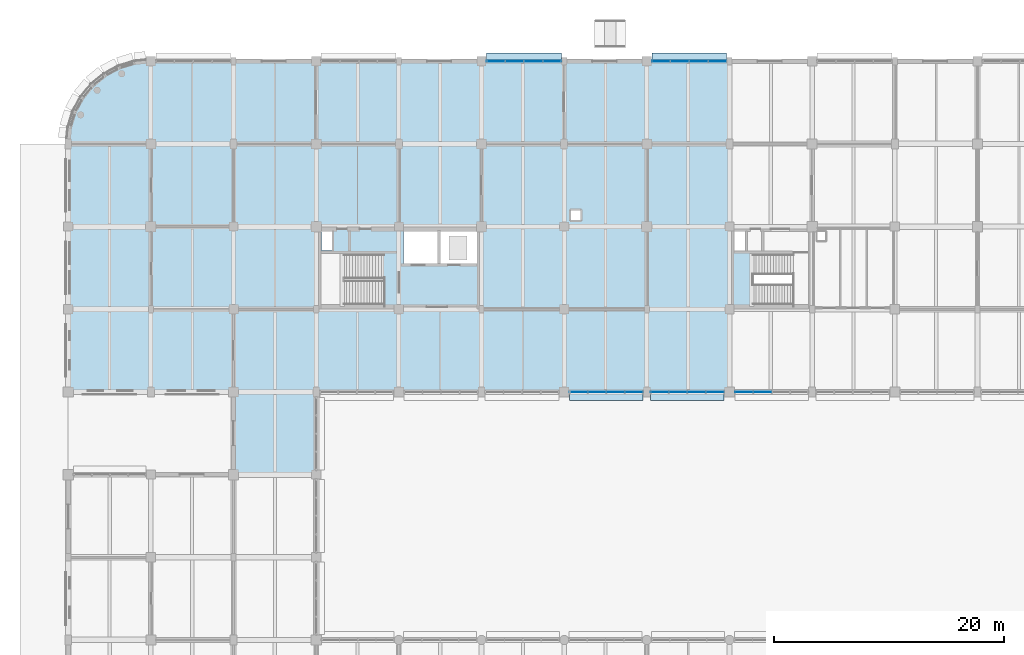
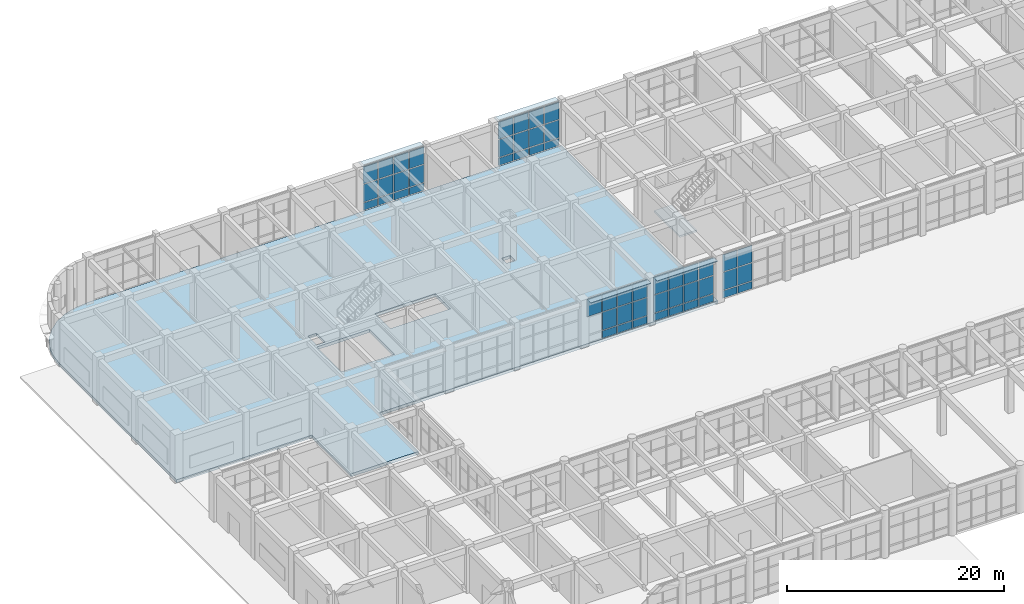
# One storey, part 125 of 160: 56 plates, 2 slabs, 6 elements without a shape of their own.
"""IFC4 building model written with IfcOpenShell, lengths in metres."""

from ifc_helpers import new_model, si_unit, direction, frame, origin, origin_2d, place, context, subcontext, project, spatial, polyline, rectangle, outline, extrude, material, layer, layer_set, type_object, element, aggregate, save


model = new_model("IFC4")

# Units and contexts
model_context = context("Model", 3, precision=1e-05, world=origin(), true_north=direction((0.0, 1.0)))
body_context = subcontext(model_context, "Body", "Model", "MODEL_VIEW")
ifc_project = project(units=[si_unit("LENGTHUNIT", "METRE"), si_unit("AREAUNIT", "SQUARE_METRE"), si_unit("VOLUMEUNIT", "CUBIC_METRE"), si_unit("PLANEANGLEUNIT", "RADIAN"), si_unit("MASSUNIT", "GRAM", prefix="KILO")], contexts=[model_context])

# Site, building, storey
site_placement = place(None, origin())
site = spatial("IfcSite", under=ifc_project, at=site_placement, CompositionType="ELEMENT")
building_placement = place(site_placement, origin())
building = spatial("IfcBuilding", under=site, at=building_placement, Name="Thalmaran Polytechnic", CompositionType="ELEMENT")
storey_placement = place(building_placement, origin())
storey = spatial("IfcBuildingStorey", under=building, at=storey_placement, Name="L00", CompositionType="ELEMENT", Elevation=0.0)

# Plates
ifc_material_1 = material(Name="Anodised aluminium sun-hood eyebrow", Category="aluminium")
ifc_layer_1 = layer(ifc_material_1, 0.0849609375, Name="Anodised aluminium sun-hood eyebrow")
ifc_layer_set_1 = layer_set([ifc_layer_1], Name="Anodised aluminium sun-hood eyebrow")
plate_type_1 = type_object("IfcPlateType", Name="PT-EB01", PredefinedType="SHEET", material=ifc_layer_set_1)
for number, where, z_axis, x_axis, name in (
    (1, (39.6923828125, 122.760009765625, 4.987548828125), (0.0, 0.0, 1.0), (1.0, 0.0, 0.0), "Streamline Sun-Hood Eyebrow L00-CW004"),
    (2, (54.092529296875, 122.760009765625, 4.987548828125), (0.0, 0.0, 1.0), (1.0, 0.0, 0.0), "Streamline Sun-Hood Eyebrow L00-CW005"),
):
    element("IfcPlate", number, at=place(storey_placement, frame(where, z_axis=z_axis, x_axis=x_axis)), inside=storey, type_object=plate_type_1, Name=name, PredefinedType="SHEET", context=body_context, shape_type="SweptSolid", body=[
        extrude(rectangle(XDim=6.52490234375, YDim=0.760009765625, at=origin_2d()), origin(), (0.0, 0.0, 1.0), 0.0849609375),
    ])
for number, where, z_axis, x_axis, name in (
    (3, (53.929931640625, 93.239990234375, 4.987548828125), (0.0, 0.0, 1.0), (-1.0, 0.0, 0.0), "Streamline Sun-Hood Eyebrow L00-CW018"),
    (4, (46.8701171875, 93.239990234375, 4.987548828125), (0.0, 0.0, 1.0), (-1.0, 0.0, 0.0), "Streamline Sun-Hood Eyebrow L00-CW019"),
):
    element("IfcPlate", number, at=place(storey_placement, frame(where, z_axis=z_axis, x_axis=x_axis)), inside=storey, type_object=plate_type_1, Name=name, PredefinedType="SHEET", context=body_context, shape_type="SweptSolid", body=[
        extrude(rectangle(XDim=6.419921875, YDim=0.760009765625, at=origin_2d()), origin(), (0.0, 0.0, 1.0), 0.0849609375),
    ])

# Curtain wall, plates
ifc_material_2 = material(Name="Aluminium 6063-T6", Category="aluminium")
curtain_wall_type = type_object("IfcCurtainWallType", Name="CW-UC01", PredefinedType="USERDEFINED", material=ifc_material_2)
curtain_wall_1_placement = place(storey_placement, origin())
curtain_wall_1 = element("IfcCurtainWall", 5, at=curtain_wall_1_placement, inside=storey, type_object=curtain_wall_type, Name="Curtain Wall CW-L00-005", ObjectType="UNITISED CURTAIN WALL", PredefinedType="USERDEFINED")
ifc_material_3 = material(Name="Solar-control double low-E glass", Category="glass")
ifc_layer_2 = layer(ifc_material_3, 0.035888671875, Name="Solar-control double low-E glass")
ifc_layer_set_2 = layer_set([ifc_layer_2], Name="Solar-control double low-E glass")
plate_type_2 = type_object("IfcPlateType", Name="PT-GL01", PredefinedType="CURTAIN_PANEL", material=ifc_layer_set_2)
plate_1_placement = place(storey_placement, frame((51.630615234375, 122.39990234375, 1.0), z_axis=(0.0, 0.0, 1.0), x_axis=(1.0, 0.0, 0.0)))
plate_1 = element("IfcPlate", 6, at=plate_1_placement, type_object=plate_type_2, Name="CW-L00-005 Vision Panel 1-2", PredefinedType="CURTAIN_PANEL", context=body_context, shape_type="SweptSolid", body=[
    extrude(rectangle(XDim=1.541259765625, YDim=0.035888671875, at=origin_2d()), origin(), (0.0, 0.0, 1.0), 1.985107421875),
])
plate_2_placement = place(storey_placement, frame((51.630615234375, 122.39990234375, 3.06494140625), z_axis=(0.0, 0.0, 1.0), x_axis=(1.0, 0.0, 0.0)))
plate_2 = element("IfcPlate", 7, at=plate_2_placement, type_object=plate_type_2, Name="CW-L00-005 Vision Panel 1-3", PredefinedType="CURTAIN_PANEL", context=body_context, shape_type="SweptSolid", body=[
    extrude(rectangle(XDim=1.541259765625, YDim=0.035888671875, at=origin_2d()), origin(), (0.0, 0.0, 1.0), 1.925048828125),
])
plate_3_placement = place(storey_placement, frame((53.27197265625, 122.39990234375, 1.0), z_axis=(0.0, 0.0, 1.0), x_axis=(1.0, 0.0, 0.0)))
plate_3 = element("IfcPlate", 8, at=plate_3_placement, type_object=plate_type_2, Name="CW-L00-005 Vision Panel 2-2", PredefinedType="CURTAIN_PANEL", context=body_context, shape_type="SweptSolid", body=[
    extrude(rectangle(XDim=1.541259765625, YDim=0.035888671875, at=origin_2d()), origin(), (0.0, 0.0, 1.0), 1.985107421875),
])
plate_4_placement = place(storey_placement, frame((53.27197265625, 122.39990234375, 3.06494140625), z_axis=(0.0, 0.0, 1.0), x_axis=(1.0, 0.0, 0.0)))
plate_4 = element("IfcPlate", 9, at=plate_4_placement, type_object=plate_type_2, Name="CW-L00-005 Vision Panel 2-3", PredefinedType="CURTAIN_PANEL", context=body_context, shape_type="SweptSolid", body=[
    extrude(rectangle(XDim=1.541259765625, YDim=0.035888671875, at=origin_2d()), origin(), (0.0, 0.0, 1.0), 1.925048828125),
])
plate_5_placement = place(storey_placement, frame((54.9130859375, 122.39990234375, 1.0), z_axis=(0.0, 0.0, 1.0), x_axis=(1.0, 0.0, 0.0)))
plate_5 = element("IfcPlate", 10, at=plate_5_placement, type_object=plate_type_2, Name="CW-L00-005 Vision Panel 3-2", PredefinedType="CURTAIN_PANEL", context=body_context, shape_type="SweptSolid", body=[
    extrude(rectangle(XDim=1.541259765625, YDim=0.035888671875, at=origin_2d()), origin(), (0.0, 0.0, 1.0), 1.985107421875),
])
plate_6_placement = place(storey_placement, frame((54.9130859375, 122.39990234375, 3.06494140625), z_axis=(0.0, 0.0, 1.0), x_axis=(1.0, 0.0, 0.0)))
plate_6 = element("IfcPlate", 11, at=plate_6_placement, type_object=plate_type_2, Name="CW-L00-005 Vision Panel 3-3", PredefinedType="CURTAIN_PANEL", context=body_context, shape_type="SweptSolid", body=[
    extrude(rectangle(XDim=1.541259765625, YDim=0.035888671875, at=origin_2d()), origin(), (0.0, 0.0, 1.0), 1.925048828125),
])
plate_7_placement = place(storey_placement, frame((56.554443359375, 122.39990234375, 1.0), z_axis=(0.0, 0.0, 1.0), x_axis=(1.0, 0.0, 0.0)))
plate_7 = element("IfcPlate", 12, at=plate_7_placement, type_object=plate_type_2, Name="CW-L00-005 Vision Panel 4-2", PredefinedType="CURTAIN_PANEL", context=body_context, shape_type="SweptSolid", body=[
    extrude(rectangle(XDim=1.541259765625, YDim=0.035888671875, at=origin_2d()), origin(), (0.0, 0.0, 1.0), 1.985107421875),
])
plate_8_placement = place(storey_placement, frame((56.554443359375, 122.39990234375, 3.06494140625), z_axis=(0.0, 0.0, 1.0), x_axis=(1.0, 0.0, 0.0)))
plate_8 = element("IfcPlate", 13, at=plate_8_placement, type_object=plate_type_2, Name="CW-L00-005 Vision Panel 4-3", PredefinedType="CURTAIN_PANEL", context=body_context, shape_type="SweptSolid", body=[
    extrude(rectangle(XDim=1.541259765625, YDim=0.035888671875, at=origin_2d()), origin(), (0.0, 0.0, 1.0), 1.925048828125),
])

curtain_wall_2_placement = place(storey_placement, origin())
curtain_wall_2 = element("IfcCurtainWall", 14, at=curtain_wall_2_placement, inside=storey, type_object=curtain_wall_type, Name="Curtain Wall CW-L00-017", ObjectType="UNITISED CURTAIN WALL", PredefinedType="USERDEFINED")
ifc_layer_3 = layer(ifc_material_3, 0.035888671875, Name="Solar-control double low-E glass")
ifc_layer_set_3 = layer_set([ifc_layer_3], Name="Solar-control double low-E glass")
plate_type_3 = type_object("IfcPlateType", Name="PT-GL03", PredefinedType="CURTAIN_PANEL", material=ifc_layer_set_3)
plate_9_placement = place(storey_placement, frame((60.46240234375, 93.60009765625, 1.0), z_axis=(0.0, 0.0, 1.0), x_axis=(-1.0, 0.0, 0.0)))
plate_9 = element("IfcPlate", 15, at=plate_9_placement, type_object=plate_type_3, Name="CW-L00-017 Vision Panel 3-2", PredefinedType="CURTAIN_PANEL", context=body_context, shape_type="SweptSolid", body=[
    extrude(rectangle(XDim=1.514892578125, YDim=0.035888671875, at=origin_2d()), origin(), (0.0, 0.0, 1.0), 1.985107421875),
])
plate_10_placement = place(storey_placement, frame((60.46240234375, 93.60009765625, 3.06494140625), z_axis=(0.0, 0.0, 1.0), x_axis=(-1.0, 0.0, 0.0)))
plate_10 = element("IfcPlate", 16, at=plate_10_placement, type_object=plate_type_3, Name="CW-L00-017 Vision Panel 3-3", PredefinedType="CURTAIN_PANEL", context=body_context, shape_type="SweptSolid", body=[
    extrude(rectangle(XDim=1.514892578125, YDim=0.035888671875, at=origin_2d()), origin(), (0.0, 0.0, 1.0), 1.925048828125),
])
plate_11_placement = place(storey_placement, frame((58.847412109375, 93.60009765625, 1.0), z_axis=(0.0, 0.0, 1.0), x_axis=(-1.0, 0.0, 0.0)))
plate_11 = element("IfcPlate", 17, at=plate_11_placement, type_object=plate_type_3, Name="CW-L00-017 Vision Panel 4-2", PredefinedType="CURTAIN_PANEL", context=body_context, shape_type="SweptSolid", body=[
    extrude(rectangle(XDim=1.514892578125, YDim=0.035888671875, at=origin_2d()), origin(), (0.0, 0.0, 1.0), 1.985107421875),
])
plate_12_placement = place(storey_placement, frame((58.847412109375, 93.60009765625, 3.06494140625), z_axis=(0.0, 0.0, 1.0), x_axis=(-1.0, 0.0, 0.0)))
plate_12 = element("IfcPlate", 18, at=plate_12_placement, type_object=plate_type_3, Name="CW-L00-017 Vision Panel 4-3", PredefinedType="CURTAIN_PANEL", context=body_context, shape_type="SweptSolid", body=[
    extrude(rectangle(XDim=1.514892578125, YDim=0.035888671875, at=origin_2d()), origin(), (0.0, 0.0, 1.0), 1.925048828125),
])

curtain_wall_3_placement = place(storey_placement, origin())
curtain_wall_3 = element("IfcCurtainWall", 19, at=curtain_wall_3_placement, inside=storey, type_object=curtain_wall_type, Name="Curtain Wall CW-L00-018", ObjectType="UNITISED CURTAIN WALL", PredefinedType="USERDEFINED")
ifc_layer_4 = layer(ifc_material_3, 0.035888671875, Name="Solar-control double low-E glass")
ifc_layer_set_4 = layer_set([ifc_layer_4], Name="Solar-control double low-E glass")
plate_type_4 = type_object("IfcPlateType", Name="PT-GL04", PredefinedType="CURTAIN_PANEL", material=ifc_layer_set_4)
plate_13_placement = place(storey_placement, frame((56.3525390625, 93.60009765625, 1.0), z_axis=(0.0, 0.0, 1.0), x_axis=(-1.0, 0.0, 0.0)))
plate_13 = element("IfcPlate", 20, at=plate_13_placement, type_object=plate_type_4, Name="CW-L00-018 Vision Panel 1-2", PredefinedType="CURTAIN_PANEL", context=body_context, shape_type="SweptSolid", body=[
    extrude(rectangle(XDim=1.514892578125, YDim=0.035888671875, at=origin_2d()), origin(), (0.0, 0.0, 1.0), 1.985107421875),
])
plate_14_placement = place(storey_placement, frame((56.3525390625, 93.60009765625, 3.06494140625), z_axis=(0.0, 0.0, 1.0), x_axis=(-1.0, 0.0, 0.0)))
plate_14 = element("IfcPlate", 21, at=plate_14_placement, type_object=plate_type_4, Name="CW-L00-018 Vision Panel 1-3", PredefinedType="CURTAIN_PANEL", context=body_context, shape_type="SweptSolid", body=[
    extrude(rectangle(XDim=1.514892578125, YDim=0.035888671875, at=origin_2d()), origin(), (0.0, 0.0, 1.0), 1.925048828125),
])
plate_15_placement = place(storey_placement, frame((54.737548828125, 93.60009765625, 1.0), z_axis=(0.0, 0.0, 1.0), x_axis=(-1.0, 0.0, 0.0)))
plate_15 = element("IfcPlate", 22, at=plate_15_placement, type_object=plate_type_4, Name="CW-L00-018 Vision Panel 2-2", PredefinedType="CURTAIN_PANEL", context=body_context, shape_type="SweptSolid", body=[
    extrude(rectangle(XDim=1.514892578125, YDim=0.035888671875, at=origin_2d()), origin(), (0.0, 0.0, 1.0), 1.985107421875),
])
plate_16_placement = place(storey_placement, frame((54.737548828125, 93.60009765625, 3.06494140625), z_axis=(0.0, 0.0, 1.0), x_axis=(-1.0, 0.0, 0.0)))
plate_16 = element("IfcPlate", 23, at=plate_16_placement, type_object=plate_type_4, Name="CW-L00-018 Vision Panel 2-3", PredefinedType="CURTAIN_PANEL", context=body_context, shape_type="SweptSolid", body=[
    extrude(rectangle(XDim=1.514892578125, YDim=0.035888671875, at=origin_2d()), origin(), (0.0, 0.0, 1.0), 1.925048828125),
])
plate_17_placement = place(storey_placement, frame((53.12255859375, 93.60009765625, 1.0), z_axis=(0.0, 0.0, 1.0), x_axis=(-1.0, 0.0, 0.0)))
plate_17 = element("IfcPlate", 24, at=plate_17_placement, type_object=plate_type_4, Name="CW-L00-018 Vision Panel 3-2", PredefinedType="CURTAIN_PANEL", context=body_context, shape_type="SweptSolid", body=[
    extrude(rectangle(XDim=1.514892578125, YDim=0.035888671875, at=origin_2d()), origin(), (0.0, 0.0, 1.0), 1.985107421875),
])
plate_18_placement = place(storey_placement, frame((53.12255859375, 93.60009765625, 3.06494140625), z_axis=(0.0, 0.0, 1.0), x_axis=(-1.0, 0.0, 0.0)))
plate_18 = element("IfcPlate", 25, at=plate_18_placement, type_object=plate_type_4, Name="CW-L00-018 Vision Panel 3-3", PredefinedType="CURTAIN_PANEL", context=body_context, shape_type="SweptSolid", body=[
    extrude(rectangle(XDim=1.514892578125, YDim=0.035888671875, at=origin_2d()), origin(), (0.0, 0.0, 1.0), 1.925048828125),
])
plate_19_placement = place(storey_placement, frame((51.507568359375, 93.60009765625, 1.0), z_axis=(0.0, 0.0, 1.0), x_axis=(-1.0, 0.0, 0.0)))
plate_19 = element("IfcPlate", 26, at=plate_19_placement, type_object=plate_type_4, Name="CW-L00-018 Vision Panel 4-2", PredefinedType="CURTAIN_PANEL", context=body_context, shape_type="SweptSolid", body=[
    extrude(rectangle(XDim=1.514892578125, YDim=0.035888671875, at=origin_2d()), origin(), (0.0, 0.0, 1.0), 1.985107421875),
])
plate_20_placement = place(storey_placement, frame((51.507568359375, 93.60009765625, 3.06494140625), z_axis=(0.0, 0.0, 1.0), x_axis=(-1.0, 0.0, 0.0)))
plate_20 = element("IfcPlate", 27, at=plate_20_placement, type_object=plate_type_4, Name="CW-L00-018 Vision Panel 4-3", PredefinedType="CURTAIN_PANEL", context=body_context, shape_type="SweptSolid", body=[
    extrude(rectangle(XDim=1.514892578125, YDim=0.035888671875, at=origin_2d()), origin(), (0.0, 0.0, 1.0), 1.925048828125),
])

curtain_wall_4_placement = place(storey_placement, origin())
curtain_wall_4 = element("IfcCurtainWall", 28, at=curtain_wall_4_placement, inside=storey, type_object=curtain_wall_type, Name="Curtain Wall CW-L00-004", ObjectType="UNITISED CURTAIN WALL", PredefinedType="USERDEFINED")
ifc_layer_5 = layer(ifc_material_3, 0.035888671875, Name="Solar-control double low-E glass")
ifc_layer_set_5 = layer_set([ifc_layer_5], Name="Solar-control double low-E glass")
plate_type_5 = type_object("IfcPlateType", Name="PT-GL05", PredefinedType="CURTAIN_PANEL", material=ifc_layer_set_5)
plate_21_placement = place(storey_placement, frame((37.230712890625, 122.39990234375, 1.0), z_axis=(0.0, 0.0, 1.0), x_axis=(1.0, 0.0, 0.0)))
plate_21 = element("IfcPlate", 29, at=plate_21_placement, type_object=plate_type_5, Name="CW-L00-004 Vision Panel 1-2", PredefinedType="CURTAIN_PANEL", context=body_context, shape_type="SweptSolid", body=[
    extrude(rectangle(XDim=1.541259765625, YDim=0.035888671875, at=origin_2d()), origin(), (0.0, 0.0, 1.0), 1.985107421875),
])
plate_22_placement = place(storey_placement, frame((37.230712890625, 122.39990234375, 3.06494140625), z_axis=(0.0, 0.0, 1.0), x_axis=(1.0, 0.0, 0.0)))
plate_22 = element("IfcPlate", 30, at=plate_22_placement, type_object=plate_type_5, Name="CW-L00-004 Vision Panel 1-3", PredefinedType="CURTAIN_PANEL", context=body_context, shape_type="SweptSolid", body=[
    extrude(rectangle(XDim=1.541259765625, YDim=0.035888671875, at=origin_2d()), origin(), (0.0, 0.0, 1.0), 1.925048828125),
])
plate_23_placement = place(storey_placement, frame((38.871826171875, 122.39990234375, 1.0), z_axis=(0.0, 0.0, 1.0), x_axis=(1.0, 0.0, 0.0)))
plate_23 = element("IfcPlate", 31, at=plate_23_placement, type_object=plate_type_5, Name="CW-L00-004 Vision Panel 2-2", PredefinedType="CURTAIN_PANEL", context=body_context, shape_type="SweptSolid", body=[
    extrude(rectangle(XDim=1.541259765625, YDim=0.035888671875, at=origin_2d()), origin(), (0.0, 0.0, 1.0), 1.985107421875),
])
plate_24_placement = place(storey_placement, frame((38.871826171875, 122.39990234375, 3.06494140625), z_axis=(0.0, 0.0, 1.0), x_axis=(1.0, 0.0, 0.0)))
plate_24 = element("IfcPlate", 32, at=plate_24_placement, type_object=plate_type_5, Name="CW-L00-004 Vision Panel 2-3", PredefinedType="CURTAIN_PANEL", context=body_context, shape_type="SweptSolid", body=[
    extrude(rectangle(XDim=1.541259765625, YDim=0.035888671875, at=origin_2d()), origin(), (0.0, 0.0, 1.0), 1.925048828125),
])
plate_25_placement = place(storey_placement, frame((40.51318359375, 122.39990234375, 1.0), z_axis=(0.0, 0.0, 1.0), x_axis=(1.0, 0.0, 0.0)))
plate_25 = element("IfcPlate", 33, at=plate_25_placement, type_object=plate_type_5, Name="CW-L00-004 Vision Panel 3-2", PredefinedType="CURTAIN_PANEL", context=body_context, shape_type="SweptSolid", body=[
    extrude(rectangle(XDim=1.541259765625, YDim=0.035888671875, at=origin_2d()), origin(), (0.0, 0.0, 1.0), 1.985107421875),
])
plate_26_placement = place(storey_placement, frame((40.51318359375, 122.39990234375, 3.06494140625), z_axis=(0.0, 0.0, 1.0), x_axis=(1.0, 0.0, 0.0)))
plate_26 = element("IfcPlate", 34, at=plate_26_placement, type_object=plate_type_5, Name="CW-L00-004 Vision Panel 3-3", PredefinedType="CURTAIN_PANEL", context=body_context, shape_type="SweptSolid", body=[
    extrude(rectangle(XDim=1.541259765625, YDim=0.035888671875, at=origin_2d()), origin(), (0.0, 0.0, 1.0), 1.925048828125),
])
plate_27_placement = place(storey_placement, frame((42.154296875, 122.39990234375, 1.0), z_axis=(0.0, 0.0, 1.0), x_axis=(1.0, 0.0, 0.0)))
plate_27 = element("IfcPlate", 35, at=plate_27_placement, type_object=plate_type_5, Name="CW-L00-004 Vision Panel 4-2", PredefinedType="CURTAIN_PANEL", context=body_context, shape_type="SweptSolid", body=[
    extrude(rectangle(XDim=1.541259765625, YDim=0.035888671875, at=origin_2d()), origin(), (0.0, 0.0, 1.0), 1.985107421875),
])
plate_28_placement = place(storey_placement, frame((42.154296875, 122.39990234375, 3.06494140625), z_axis=(0.0, 0.0, 1.0), x_axis=(1.0, 0.0, 0.0)))
plate_28 = element("IfcPlate", 36, at=plate_28_placement, type_object=plate_type_5, Name="CW-L00-004 Vision Panel 4-3", PredefinedType="CURTAIN_PANEL", context=body_context, shape_type="SweptSolid", body=[
    extrude(rectangle(XDim=1.541259765625, YDim=0.035888671875, at=origin_2d()), origin(), (0.0, 0.0, 1.0), 1.925048828125),
])

curtain_wall_5_placement = place(storey_placement, origin())
curtain_wall_5 = element("IfcCurtainWall", 37, at=curtain_wall_5_placement, inside=storey, type_object=curtain_wall_type, Name="Curtain Wall CW-L00-019", ObjectType="UNITISED CURTAIN WALL", PredefinedType="USERDEFINED")
plate_29_placement = place(storey_placement, frame((49.29248046875, 93.60009765625, 1.0), z_axis=(0.0, 0.0, 1.0), x_axis=(-1.0, 0.0, 0.0)))
plate_29 = element("IfcPlate", 38, at=plate_29_placement, type_object=plate_type_5, Name="CW-L00-019 Vision Panel 1-2", PredefinedType="CURTAIN_PANEL", context=body_context, shape_type="SweptSolid", body=[
    extrude(rectangle(XDim=1.514892578125, YDim=0.035888671875, at=origin_2d()), origin(), (0.0, 0.0, 1.0), 1.985107421875),
])
plate_30_placement = place(storey_placement, frame((49.29248046875, 93.60009765625, 3.06494140625), z_axis=(0.0, 0.0, 1.0), x_axis=(-1.0, 0.0, 0.0)))
plate_30 = element("IfcPlate", 39, at=plate_30_placement, type_object=plate_type_5, Name="CW-L00-019 Vision Panel 1-3", PredefinedType="CURTAIN_PANEL", context=body_context, shape_type="SweptSolid", body=[
    extrude(rectangle(XDim=1.514892578125, YDim=0.035888671875, at=origin_2d()), origin(), (0.0, 0.0, 1.0), 1.925048828125),
])
plate_31_placement = place(storey_placement, frame((47.677490234375, 93.60009765625, 1.0), z_axis=(0.0, 0.0, 1.0), x_axis=(-1.0, 0.0, 0.0)))
plate_31 = element("IfcPlate", 40, at=plate_31_placement, type_object=plate_type_5, Name="CW-L00-019 Vision Panel 2-2", PredefinedType="CURTAIN_PANEL", context=body_context, shape_type="SweptSolid", body=[
    extrude(rectangle(XDim=1.514892578125, YDim=0.035888671875, at=origin_2d()), origin(), (0.0, 0.0, 1.0), 1.985107421875),
])
plate_32_placement = place(storey_placement, frame((47.677490234375, 93.60009765625, 3.06494140625), z_axis=(0.0, 0.0, 1.0), x_axis=(-1.0, 0.0, 0.0)))
plate_32 = element("IfcPlate", 41, at=plate_32_placement, type_object=plate_type_5, Name="CW-L00-019 Vision Panel 2-3", PredefinedType="CURTAIN_PANEL", context=body_context, shape_type="SweptSolid", body=[
    extrude(rectangle(XDim=1.514892578125, YDim=0.035888671875, at=origin_2d()), origin(), (0.0, 0.0, 1.0), 1.925048828125),
])
plate_33_placement = place(storey_placement, frame((46.0625, 93.60009765625, 1.0), z_axis=(0.0, 0.0, 1.0), x_axis=(-1.0, 0.0, 0.0)))
plate_33 = element("IfcPlate", 42, at=plate_33_placement, type_object=plate_type_5, Name="CW-L00-019 Vision Panel 3-2", PredefinedType="CURTAIN_PANEL", context=body_context, shape_type="SweptSolid", body=[
    extrude(rectangle(XDim=1.514892578125, YDim=0.035888671875, at=origin_2d()), origin(), (0.0, 0.0, 1.0), 1.985107421875),
])
plate_34_placement = place(storey_placement, frame((46.0625, 93.60009765625, 3.06494140625), z_axis=(0.0, 0.0, 1.0), x_axis=(-1.0, 0.0, 0.0)))
plate_34 = element("IfcPlate", 43, at=plate_34_placement, type_object=plate_type_5, Name="CW-L00-019 Vision Panel 3-3", PredefinedType="CURTAIN_PANEL", context=body_context, shape_type="SweptSolid", body=[
    extrude(rectangle(XDim=1.514892578125, YDim=0.035888671875, at=origin_2d()), origin(), (0.0, 0.0, 1.0), 1.925048828125),
])
plate_35_placement = place(storey_placement, frame((44.447509765625, 93.60009765625, 3.06494140625), z_axis=(0.0, 0.0, 1.0), x_axis=(-1.0, 0.0, 0.0)))
plate_35 = element("IfcPlate", 44, at=plate_35_placement, type_object=plate_type_5, Name="CW-L00-019 Vision Panel 4-3", PredefinedType="CURTAIN_PANEL", context=body_context, shape_type="SweptSolid", body=[
    extrude(rectangle(XDim=1.514892578125, YDim=0.035888671875, at=origin_2d()), origin(), (0.0, 0.0, 1.0), 1.925048828125),
])

# Plate
ifc_material_4 = material(Name="Insulated anodised aluminium spandrel", Category="aluminium")
ifc_layer_6 = layer(ifc_material_4, 0.06005859375, Name="Insulated anodised aluminium spandrel")
ifc_layer_set_6 = layer_set([ifc_layer_6], Name="Insulated anodised aluminium spandrel")
plate_type_6 = type_object("IfcPlateType", Name="PT-SP01", PredefinedType="CURTAIN_PANEL", material=ifc_layer_set_6)
plate_36_placement = place(storey_placement, frame((56.3525390625, 93.60009765625, 0.10009765625), z_axis=(0.0, 0.0, 1.0), x_axis=(-1.0, 0.0, 0.0)))
plate_36 = element("IfcPlate", 45, at=plate_36_placement, type_object=plate_type_6, Name="CW-L00-018 Spandrel Panel 1-1", PredefinedType="CURTAIN_PANEL", context=body_context, shape_type="SweptSolid", body=[
    extrude(rectangle(XDim=1.514892578125, YDim=0.06005859375, at=origin_2d()), origin(), (0.0, 0.0, 1.0), 0.820068359375),
])

plate_37_placement = place(storey_placement, frame((54.737548828125, 93.60009765625, 0.10009765625), z_axis=(0.0, 0.0, 1.0), x_axis=(-1.0, 0.0, 0.0)))
plate_37 = element("IfcPlate", 46, at=plate_37_placement, type_object=plate_type_6, Name="CW-L00-018 Spandrel Panel 2-1", PredefinedType="CURTAIN_PANEL", context=body_context, shape_type="SweptSolid", body=[
    extrude(rectangle(XDim=1.514892578125, YDim=0.06005859375, at=origin_2d()), origin(), (0.0, 0.0, 1.0), 0.820068359375),
])

plate_38_placement = place(storey_placement, frame((53.12255859375, 93.60009765625, 0.10009765625), z_axis=(0.0, 0.0, 1.0), x_axis=(-1.0, 0.0, 0.0)))
plate_38 = element("IfcPlate", 47, at=plate_38_placement, type_object=plate_type_6, Name="CW-L00-018 Spandrel Panel 3-1", PredefinedType="CURTAIN_PANEL", context=body_context, shape_type="SweptSolid", body=[
    extrude(rectangle(XDim=1.514892578125, YDim=0.06005859375, at=origin_2d()), origin(), (0.0, 0.0, 1.0), 0.820068359375),
])

plate_39_placement = place(storey_placement, frame((51.507568359375, 93.60009765625, 0.10009765625), z_axis=(0.0, 0.0, 1.0), x_axis=(-1.0, 0.0, 0.0)))
plate_39 = element("IfcPlate", 48, at=plate_39_placement, type_object=plate_type_6, Name="CW-L00-018 Spandrel Panel 4-1", PredefinedType="CURTAIN_PANEL", context=body_context, shape_type="SweptSolid", body=[
    extrude(rectangle(XDim=1.514892578125, YDim=0.06005859375, at=origin_2d()), origin(), (0.0, 0.0, 1.0), 0.820068359375),
])

aggregate(curtain_wall_3, [plate_36, plate_13, plate_14, plate_37, plate_15, plate_16, plate_38, plate_17, plate_18, plate_39, plate_19, plate_20])

ifc_layer_7 = layer(ifc_material_4, 0.06005859375, Name="Insulated anodised aluminium spandrel")
ifc_layer_set_7 = layer_set([ifc_layer_7], Name="Insulated anodised aluminium spandrel")
plate_type_7 = type_object("IfcPlateType", Name="PT-SP02", PredefinedType="CURTAIN_PANEL", material=ifc_layer_set_7)
plate_40_placement = place(storey_placement, frame((37.230712890625, 122.39990234375, 0.10009765625), z_axis=(0.0, 0.0, 1.0), x_axis=(1.0, 0.0, 0.0)))
plate_40 = element("IfcPlate", 49, at=plate_40_placement, type_object=plate_type_7, Name="CW-L00-004 Spandrel Panel 1-1", PredefinedType="CURTAIN_PANEL", context=body_context, shape_type="SweptSolid", body=[
    extrude(rectangle(XDim=1.541259765625, YDim=0.06005859375, at=origin_2d()), origin(), (0.0, 0.0, 1.0), 0.820068359375),
])

plate_41_placement = place(storey_placement, frame((38.871826171875, 122.39990234375, 0.10009765625), z_axis=(0.0, 0.0, 1.0), x_axis=(1.0, 0.0, 0.0)))
plate_41 = element("IfcPlate", 50, at=plate_41_placement, type_object=plate_type_7, Name="CW-L00-004 Spandrel Panel 2-1", PredefinedType="CURTAIN_PANEL", context=body_context, shape_type="SweptSolid", body=[
    extrude(rectangle(XDim=1.541259765625, YDim=0.06005859375, at=origin_2d()), origin(), (0.0, 0.0, 1.0), 0.820068359375),
])

plate_42_placement = place(storey_placement, frame((40.51318359375, 122.39990234375, 0.10009765625), z_axis=(0.0, 0.0, 1.0), x_axis=(1.0, 0.0, 0.0)))
plate_42 = element("IfcPlate", 51, at=plate_42_placement, type_object=plate_type_7, Name="CW-L00-004 Spandrel Panel 3-1", PredefinedType="CURTAIN_PANEL", context=body_context, shape_type="SweptSolid", body=[
    extrude(rectangle(XDim=1.541259765625, YDim=0.06005859375, at=origin_2d()), origin(), (0.0, 0.0, 1.0), 0.820068359375),
])

plate_43_placement = place(storey_placement, frame((42.154296875, 122.39990234375, 0.10009765625), z_axis=(0.0, 0.0, 1.0), x_axis=(1.0, 0.0, 0.0)))
plate_43 = element("IfcPlate", 52, at=plate_43_placement, type_object=plate_type_7, Name="CW-L00-004 Spandrel Panel 4-1", PredefinedType="CURTAIN_PANEL", context=body_context, shape_type="SweptSolid", body=[
    extrude(rectangle(XDim=1.541259765625, YDim=0.06005859375, at=origin_2d()), origin(), (0.0, 0.0, 1.0), 0.820068359375),
])

aggregate(curtain_wall_4, [plate_40, plate_21, plate_22, plate_41, plate_23, plate_24, plate_42, plate_25, plate_26, plate_43, plate_27, plate_28])

plate_44_placement = place(storey_placement, frame((49.29248046875, 93.60009765625, 0.10009765625), z_axis=(0.0, 0.0, 1.0), x_axis=(-1.0, 0.0, 0.0)))
plate_44 = element("IfcPlate", 53, at=plate_44_placement, type_object=plate_type_7, Name="CW-L00-019 Spandrel Panel 1-1", PredefinedType="CURTAIN_PANEL", context=body_context, shape_type="SweptSolid", body=[
    extrude(rectangle(XDim=1.514892578125, YDim=0.06005859375, at=origin_2d()), origin(), (0.0, 0.0, 1.0), 0.820068359375),
])

plate_45_placement = place(storey_placement, frame((47.677490234375, 93.60009765625, 0.10009765625), z_axis=(0.0, 0.0, 1.0), x_axis=(-1.0, 0.0, 0.0)))
plate_45 = element("IfcPlate", 54, at=plate_45_placement, type_object=plate_type_7, Name="CW-L00-019 Spandrel Panel 2-1", PredefinedType="CURTAIN_PANEL", context=body_context, shape_type="SweptSolid", body=[
    extrude(rectangle(XDim=1.514892578125, YDim=0.06005859375, at=origin_2d()), origin(), (0.0, 0.0, 1.0), 0.820068359375),
])

plate_46_placement = place(storey_placement, frame((46.0625, 93.60009765625, 0.10009765625), z_axis=(0.0, 0.0, 1.0), x_axis=(-1.0, 0.0, 0.0)))
plate_46 = element("IfcPlate", 55, at=plate_46_placement, type_object=plate_type_7, Name="CW-L00-019 Spandrel Panel 3-1", PredefinedType="CURTAIN_PANEL", context=body_context, shape_type="SweptSolid", body=[
    extrude(rectangle(XDim=1.514892578125, YDim=0.06005859375, at=origin_2d()), origin(), (0.0, 0.0, 1.0), 0.820068359375),
])

aggregate(curtain_wall_5, [plate_44, plate_29, plate_30, plate_45, plate_31, plate_32, plate_46, plate_33, plate_34, plate_35])

ifc_layer_8 = layer(ifc_material_4, 0.06005859375, Name="Insulated anodised aluminium spandrel")
ifc_layer_set_8 = layer_set([ifc_layer_8], Name="Insulated anodised aluminium spandrel")
plate_type_8 = type_object("IfcPlateType", Name="PT-SP03", PredefinedType="CURTAIN_PANEL", material=ifc_layer_set_8)
plate_47_placement = place(storey_placement, frame((51.630615234375, 122.39990234375, 0.10009765625), z_axis=(0.0, 0.0, 1.0), x_axis=(1.0, 0.0, 0.0)))
plate_47 = element("IfcPlate", 56, at=plate_47_placement, type_object=plate_type_8, Name="CW-L00-005 Spandrel Panel 1-1", PredefinedType="CURTAIN_PANEL", context=body_context, shape_type="SweptSolid", body=[
    extrude(rectangle(XDim=1.541259765625, YDim=0.06005859375, at=origin_2d()), origin(), (0.0, 0.0, 1.0), 0.820068359375),
])

plate_48_placement = place(storey_placement, frame((53.27197265625, 122.39990234375, 0.10009765625), z_axis=(0.0, 0.0, 1.0), x_axis=(1.0, 0.0, 0.0)))
plate_48 = element("IfcPlate", 57, at=plate_48_placement, type_object=plate_type_8, Name="CW-L00-005 Spandrel Panel 2-1", PredefinedType="CURTAIN_PANEL", context=body_context, shape_type="SweptSolid", body=[
    extrude(rectangle(XDim=1.541259765625, YDim=0.06005859375, at=origin_2d()), origin(), (0.0, 0.0, 1.0), 0.820068359375),
])

plate_49_placement = place(storey_placement, frame((54.9130859375, 122.39990234375, 0.10009765625), z_axis=(0.0, 0.0, 1.0), x_axis=(1.0, 0.0, 0.0)))
plate_49 = element("IfcPlate", 58, at=plate_49_placement, type_object=plate_type_8, Name="CW-L00-005 Spandrel Panel 3-1", PredefinedType="CURTAIN_PANEL", context=body_context, shape_type="SweptSolid", body=[
    extrude(rectangle(XDim=1.541259765625, YDim=0.06005859375, at=origin_2d()), origin(), (0.0, 0.0, 1.0), 0.820068359375),
])

plate_50_placement = place(storey_placement, frame((56.554443359375, 122.39990234375, 0.10009765625), z_axis=(0.0, 0.0, 1.0), x_axis=(1.0, 0.0, 0.0)))
plate_50 = element("IfcPlate", 59, at=plate_50_placement, type_object=plate_type_8, Name="CW-L00-005 Spandrel Panel 4-1", PredefinedType="CURTAIN_PANEL", context=body_context, shape_type="SweptSolid", body=[
    extrude(rectangle(XDim=1.541259765625, YDim=0.06005859375, at=origin_2d()), origin(), (0.0, 0.0, 1.0), 0.820068359375),
])

aggregate(curtain_wall_1, [plate_47, plate_1, plate_2, plate_48, plate_3, plate_4, plate_49, plate_5, plate_6, plate_50, plate_7, plate_8])

plate_51_placement = place(storey_placement, frame((60.46240234375, 93.60009765625, 0.10009765625), z_axis=(0.0, 0.0, 1.0), x_axis=(-1.0, 0.0, 0.0)))
plate_51 = element("IfcPlate", 60, at=plate_51_placement, type_object=plate_type_8, Name="CW-L00-017 Spandrel Panel 3-1", PredefinedType="CURTAIN_PANEL", context=body_context, shape_type="SweptSolid", body=[
    extrude(rectangle(XDim=1.514892578125, YDim=0.06005859375, at=origin_2d()), origin(), (0.0, 0.0, 1.0), 0.820068359375),
])

plate_52_placement = place(storey_placement, frame((58.847412109375, 93.60009765625, 0.10009765625), z_axis=(0.0, 0.0, 1.0), x_axis=(-1.0, 0.0, 0.0)))
plate_52 = element("IfcPlate", 61, at=plate_52_placement, type_object=plate_type_8, Name="CW-L00-017 Spandrel Panel 4-1", PredefinedType="CURTAIN_PANEL", context=body_context, shape_type="SweptSolid", body=[
    extrude(rectangle(XDim=1.514892578125, YDim=0.06005859375, at=origin_2d()), origin(), (0.0, 0.0, 1.0), 0.820068359375),
])

aggregate(curtain_wall_2, [plate_51, plate_9, plate_10, plate_52, plate_11, plate_12])

# Slab
ifc_material_5 = material(Name="Concrete C40/50", Category="concrete")
ifc_layer_9 = layer(ifc_material_5, 0.330078125, Name="Concrete C40/50")
ifc_layer_set_9 = layer_set([ifc_layer_9], Name="Concrete C40/50")
slab_type_1 = type_object("IfcSlabType", Name="SL-FL02", PredefinedType="FLOOR", material=ifc_layer_set_9)
slab_1_placement = place(storey_placement, frame((0.0, 0.0, -0.330078125)))
element("IfcSlab", 62, at=slab_1_placement, inside=storey, type_object=slab_type_1, Name="V2W L00 Structural Slab", PredefinedType="FLOOR", context=body_context, shape_type="SweptSolid", body=[
    extrude(outline(polyline([(0.138427734375, 116.604736328125), (0.548095703125, 117.955322265625), (1.21337890625, 119.2001953125), (2.10888671875, 120.291259765625), (3.199951171875, 121.1865234375), (4.444580078125, 121.85205078125), (5.79541015625, 122.26171875), (7.199951171875, 122.39990234375), (14.39990234375, 122.39990234375), (21.60009765625, 122.39990234375), (28.800048828125, 122.39990234375), (36.0, 122.39990234375), (43.199951171875, 122.39990234375), (50.39990234375, 122.39990234375), (57.60009765625, 122.39990234375), (57.60009765625, 115.199951171875), (57.60009765625, 108.0), (57.60009765625, 100.800048828125), (57.60009765625, 93.60009765625), (50.39990234375, 93.60009765625), (43.199951171875, 93.60009765625), (36.0, 93.60009765625), (28.800048828125, 93.60009765625), (21.60009765625, 93.60009765625), (21.60009765625, 86.39990234375), (14.39990234375, 86.39990234375), (14.39990234375, 93.60009765625), (7.199951171875, 93.60009765625), (0.0, 93.60009765625), (0.0, 100.800048828125), (0.0, 108.0), (0.0, 115.199951171875), (0.138427734375, 116.604736328125)]), holes=[polyline([(44.64990234375, 109.449951171875), (43.75, 109.449951171875), (43.75, 108.550048828125), (44.64990234375, 108.550048828125), (44.64990234375, 109.449951171875)]), polyline([(29.199951171875, 107.60009765625), (29.199951171875, 104.800048828125), (35.60009765625, 104.800048828125), (35.60009765625, 107.60009765625), (29.199951171875, 107.60009765625)]), polyline([(27.47998046875, 101.050048828125), (27.47998046875, 105.639892578125), (21.85009765625, 105.639892578125), (21.85009765625, 101.050048828125), (27.47998046875, 101.050048828125)]), polyline([(22.0400390625, 105.93994140625), (22.9599609375, 105.93994140625), (22.9599609375, 107.56005859375), (22.0400390625, 107.56005859375), (22.0400390625, 105.93994140625)])]), origin(), (0.0, 0.0, 1.0), 0.330078125),
])

# Stair, slab
stair_type = type_object("IfcStairType", Name="ST-HT54", PredefinedType="HALF_TURN_STAIR", material=ifc_material_5)
stair_placement = place(storey_placement, origin())
stair = element("IfcStair", 63, at=stair_placement, inside=storey, type_object=stair_type, Name="Exit Stair ST6 L00", PredefinedType="HALF_TURN_STAIR")
ifc_layer_10 = layer(ifc_material_5, 0.2099609375, Name="Concrete C40/50")
ifc_layer_set_10 = layer_set([ifc_layer_10], Name="Concrete C40/50")
slab_type_2 = type_object("IfcSlabType", Name="SL-LD01", PredefinedType="LANDING", material=ifc_layer_set_10)
slab_2_placement = place(storey_placement, frame((0.0, 0.0, 2.489990234375)))
slab_2 = element("IfcSlab", 64, at=slab_2_placement, type_object=slab_type_2, Name="ST6 L00 Half Landing", PredefinedType="LANDING", context=body_context, shape_type="SweptSolid", body=[
    extrude(outline(polyline([(57.840087890625, 101.0400390625), (59.659912109375, 101.0400390625), (59.659912109375, 105.739990234375), (57.840087890625, 105.739990234375), (57.840087890625, 101.0400390625)])), origin(), (0.0, 0.0, 1.0), 0.2099609375),
])
aggregate(stair, [slab_2])

save(model, "model.ifc")
